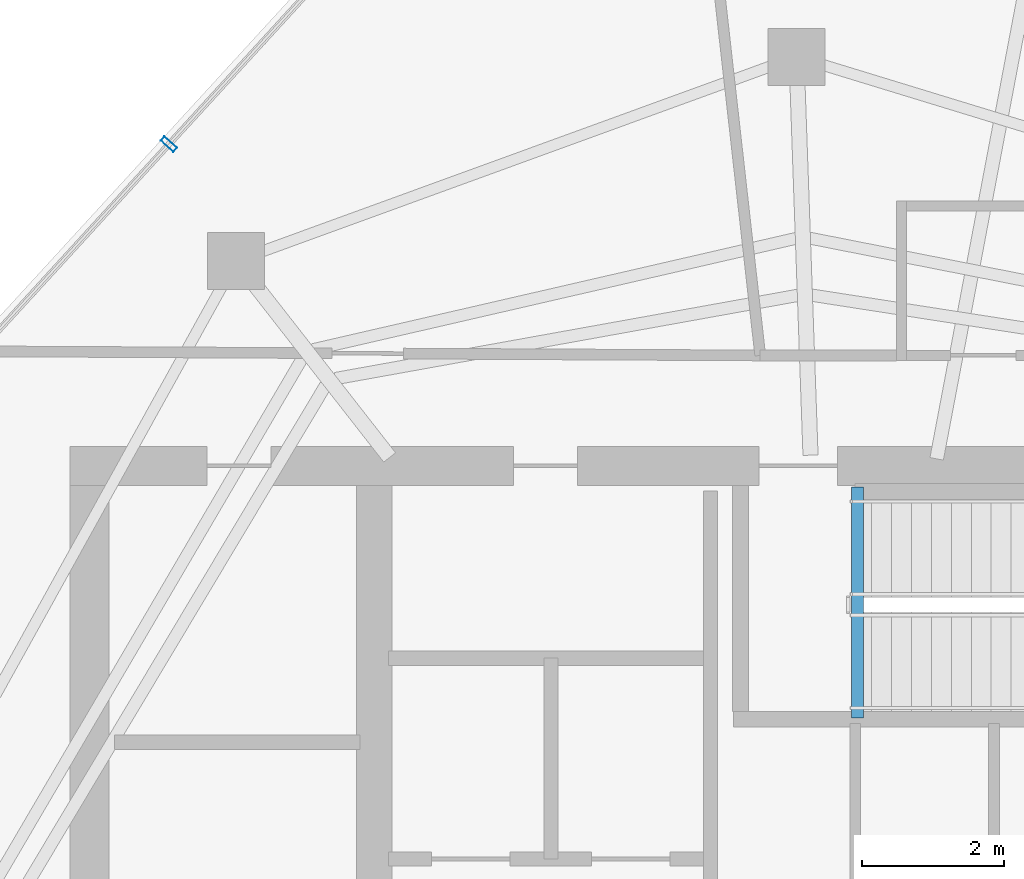
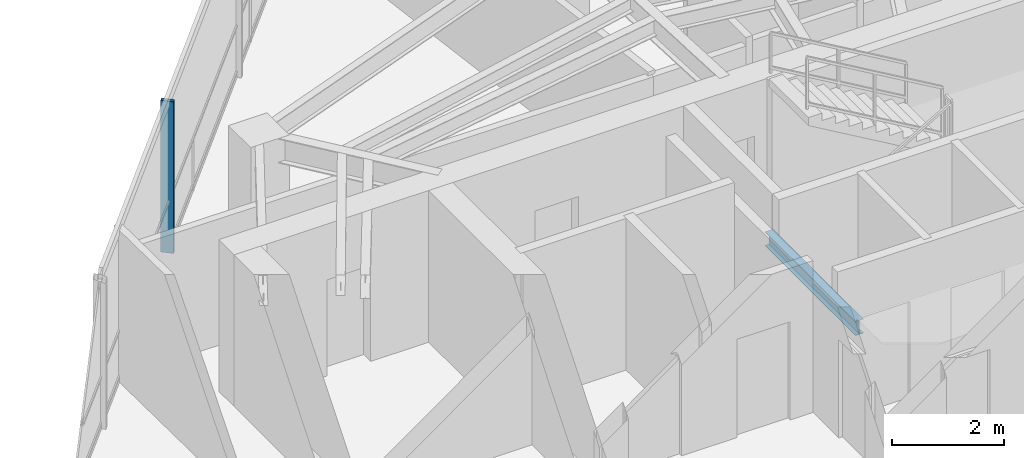
# One storey, part 8 of 18: 1 beam, 1 member, 1 element without a shape of its own.
"""IFC4 building model written with IfcOpenShell, lengths in metres."""

from ifc_helpers import new_model, si_unit, direction, frame, origin, origin_2d, place, context, subcontext, project, spatial, hollow_rectangle, i_section, extrude, material, layer, layer_set, material_profile, profile_set, type_object, element, aggregate, save


model = new_model("IFC4")

# Units and contexts
model_context = context("Model", 3, precision=1e-05, world=origin(), true_north=direction((0.0, 1.0)))
body_context = subcontext(model_context, "Body", "Model", "MODEL_VIEW")
ifc_project = project(units=[si_unit("LENGTHUNIT", "METRE"), si_unit("AREAUNIT", "SQUARE_METRE"), si_unit("VOLUMEUNIT", "CUBIC_METRE"), si_unit("PLANEANGLEUNIT", "RADIAN"), si_unit("MASSUNIT", "GRAM", prefix="KILO")], contexts=[model_context])

# Site, building, storey
site_placement = place(None, origin())
site = spatial("IfcSite", under=ifc_project, at=site_placement, CompositionType="ELEMENT")
building_placement = place(site_placement, origin())
building = spatial("IfcBuilding", under=site, at=building_placement, Name="Qarnah Convention Tower", CompositionType="ELEMENT")
storey_placement = place(building_placement, frame((0.0, 0.0, 246.300048828125)))
storey = spatial("IfcBuildingStorey", under=building, at=storey_placement, Name="L66", CompositionType="ELEMENT", Elevation=246.300048828125)

# Beam
ifc_material_1 = material(Name="Structural steel S355JR", Category="steel")
ifc_material_profile_1 = material_profile(ifc_material_1, i_section(OverallWidth=0.166015625, OverallDepth=0.31201171875, WebThickness=0.007080078125, FlangeThickness=0.010986328125, at=origin_2d()), Name="W310X45")
ifc_profile_set_1 = profile_set([ifc_material_profile_1], Name="Structural steel S355JR")
beam_type = type_object("IfcBeamType", Name="BM-JST-W310", PredefinedType="JOIST", material=ifc_profile_set_1)
beam_placement = place(storey_placement, frame((37.5830078125, 30.659912109375, -0.156005859375), z_axis=(0.0, 1.0, 0.0), x_axis=(-1.0, 0.0, 0.0)))
element("IfcBeam", 1, at=beam_placement, inside=storey, type_object=beam_type, Name="L66 stair landing trimmer beam BM-L66-ST3-TRM", PredefinedType="BEAM", context=body_context, shape_type="SweptSolid", body=[
    extrude(i_section(OverallWidth=0.166015625, OverallDepth=0.31201171875, WebThickness=0.007080078125, FlangeThickness=0.010986328125, at=origin_2d()), origin(), (0.0, 0.0, 1.0), 3.239990234375),
])

# Curtain wall, member
ifc_material_2 = material(Name="Tempered Low-E dark glass", Category="glass")
ifc_layer = layer(ifc_material_2, 0.176025390625)
ifc_layer_set = layer_set([ifc_layer], Name="Tempered Low-E dark glass")
curtain_wall_type = type_object("IfcCurtainWallType", Name="CWS-05", PredefinedType="NOTDEFINED", material=ifc_layer_set)
curtain_wall_placement = place(storey_placement, origin())
curtain_wall = element("IfcCurtainWall", 2, at=curtain_wall_placement, inside=storey, type_object=curtain_wall_type, Name="L66 unitised curtain wall CW-L66-F1", PredefinedType="NOTDEFINED")
ifc_material_3 = material(Name="Black anodised aluminium", Category="aluminium")
ifc_material_profile_2 = material_profile(ifc_material_3, hollow_rectangle(XDim=0.080078125, YDim=0.239990234375, WallThickness=0.0048828125, at=origin_2d()), Name="MUL-80X240")
ifc_profile_set_2 = profile_set([ifc_material_profile_2], Name="Black anodised aluminium")
member_type = type_object("IfcMemberType", Name="MUL-T5", PredefinedType="MULLION", material=ifc_profile_set_2)
member_placement = place(storey_placement, frame((27.9130859375, 38.716064453125, 0.0), z_axis=(0.0, 0.0, 1.0), x_axis=(0.675336373666, 0.737509852411, 0.0)))
member = element("IfcMember", 3, at=member_placement, type_object=member_type, Name="CW-L66-F1 mullion 4", PredefinedType="MULLION", context=body_context, shape_type="SweptSolid", body=[
    extrude(hollow_rectangle(XDim=0.080078125, YDim=0.239990234375, WallThickness=0.0048828125, at=origin_2d()), origin(), (0.0, 0.0, 1.0), 3.320068359375),
])
aggregate(curtain_wall, [member])

save(model, "model.ifc")
